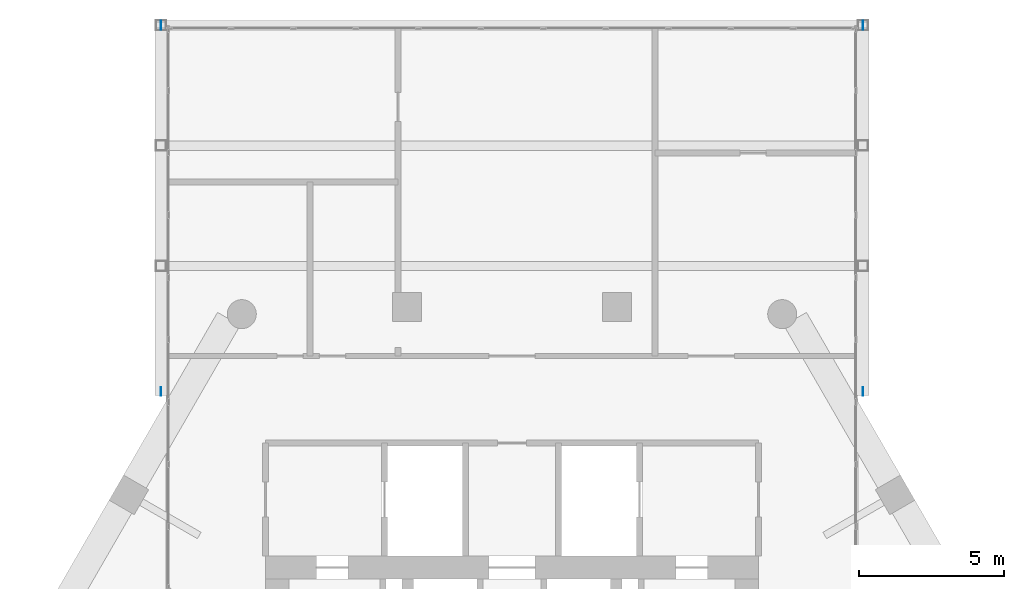
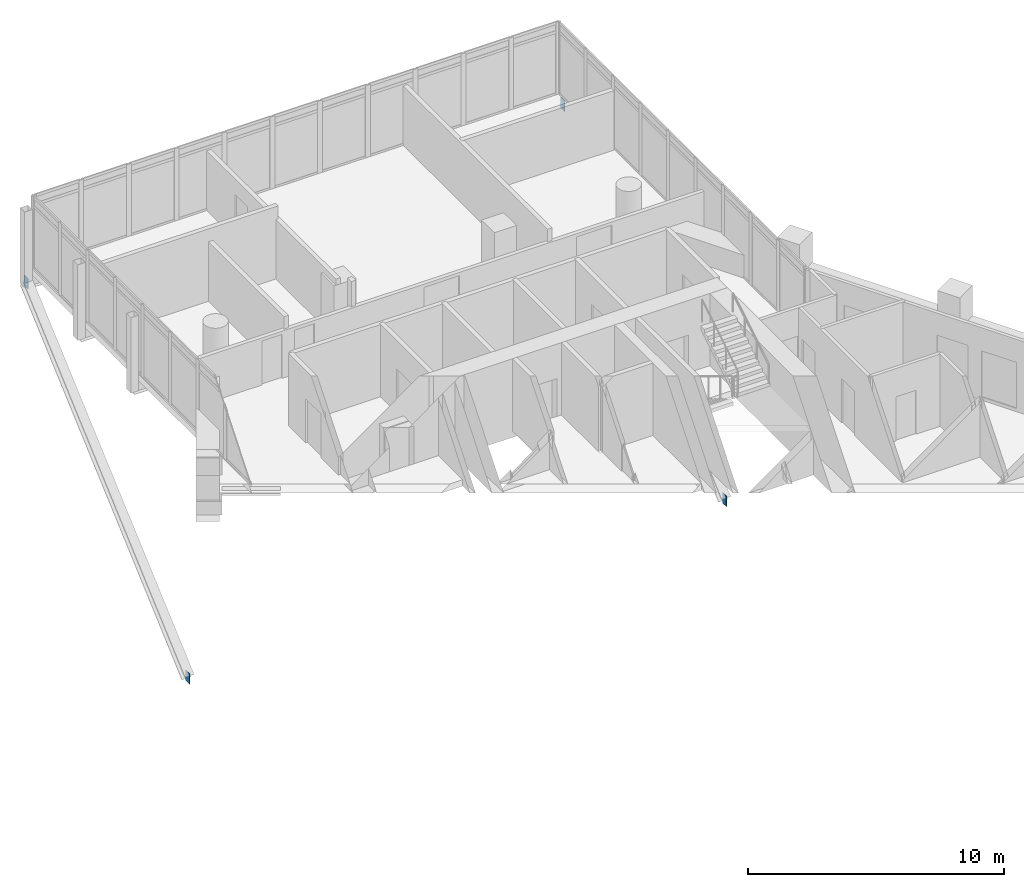
# One storey, part 37 of 38: 4 discrete accessories.
"""IFC4 building model written with IfcOpenShell, lengths in metres."""

from ifc_helpers import new_model, si_unit, direction, frame, origin, origin_2d, place, context, subcontext, project, spatial, rectangle, extrude, material, layer, layer_set, type_object, element, save


model = new_model("IFC4")

# Units and contexts
model_context = context("Model", 3, precision=1e-05, world=origin(), true_north=direction((0.0, 1.0)))
body_context = subcontext(model_context, "Body", "Model", "MODEL_VIEW")
ifc_project = project(units=[si_unit("LENGTHUNIT", "METRE"), si_unit("AREAUNIT", "SQUARE_METRE"), si_unit("VOLUMEUNIT", "CUBIC_METRE"), si_unit("PLANEANGLEUNIT", "RADIAN"), si_unit("MASSUNIT", "GRAM", prefix="KILO")], contexts=[model_context])

# Site, building, storey
site_placement = place(None, origin())
site = spatial("IfcSite", under=ifc_project, at=site_placement, CompositionType="ELEMENT")
building_placement = place(site_placement, origin())
building = spatial("IfcBuilding", under=site, at=building_placement, Name="Ostrander Bayou Hotel Tower", CompositionType="ELEMENT")
storey_placement = place(building_placement, frame((0.0, 0.0, 194.5)))
storey = spatial("IfcBuildingStorey", under=building, at=storey_placement, Name="L48", CompositionType="ELEMENT", Elevation=194.5)

# Discrete accessories
ifc_material = material(Name="Steel ASTM A572 Gr 50", Category="steel")
ifc_layer = layer(ifc_material, 0.030029296875)
ifc_layer_set = layer_set([ifc_layer], Name="GP1 gusset plate 30 mm")
discrete_accessory_type = type_object("IfcDiscreteAccessoryType", Name="GP1 gusset plate 30 mm", PredefinedType="BRACKET", material=ifc_layer_set)
for number, where, z_axis, x_axis, name in (
    (1, (-12.110107421875, 28.01611328125, -0.9111328125), (0.0, 0.0, 1.0), (0.0, -1.0, 0.0), "GP1 gusset plate bar 213"),
    (2, (-12.110107421875, 15.381103515625, -12.10009765625), (0.0, 0.0, 1.0), (0.0, -1.0, 0.0), "GP1 gusset plate bar 214"),
    (3, (12.110107421875, 28.01611328125, -0.9111328125), (0.0, 0.0, 1.0), (0.0, -1.0, 0.0), "GP1 gusset plate bar 215"),
    (4, (12.110107421875, 15.381103515625, -12.10009765625), (0.0, 0.0, 1.0), (0.0, -1.0, 0.0), "GP1 gusset plate bar 216"),
):
    element("IfcDiscreteAccessory", number, at=place(storey_placement, frame(where, z_axis=z_axis, x_axis=x_axis)), inside=storey, type_object=discrete_accessory_type, Name=name, PredefinedType="BRACKET", context=body_context, shape_type="SweptSolid", body=[
        extrude(rectangle(XDim=0.300048828125, YDim=0.030029296875, at=origin_2d()), origin(), (0.0, 0.0, 1.0), 0.5),
    ])

save(model, "model.ifc")
